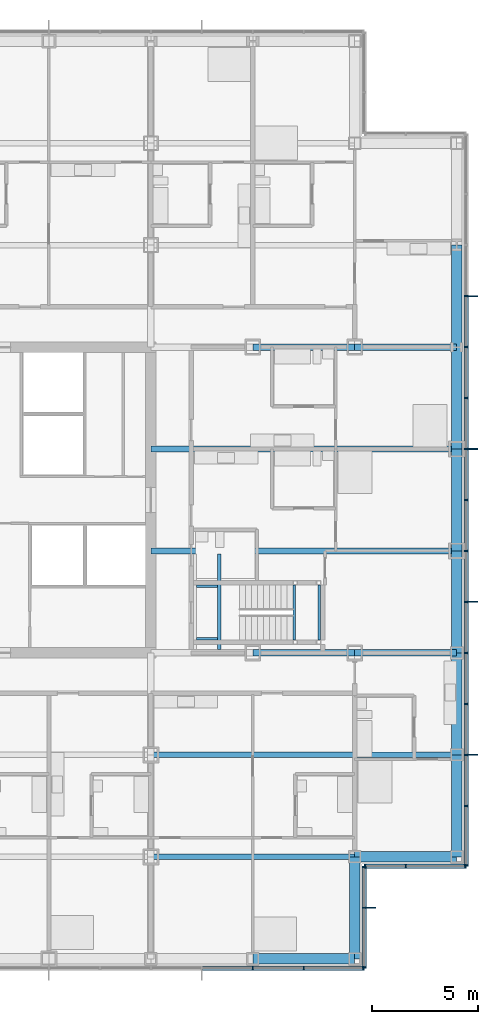
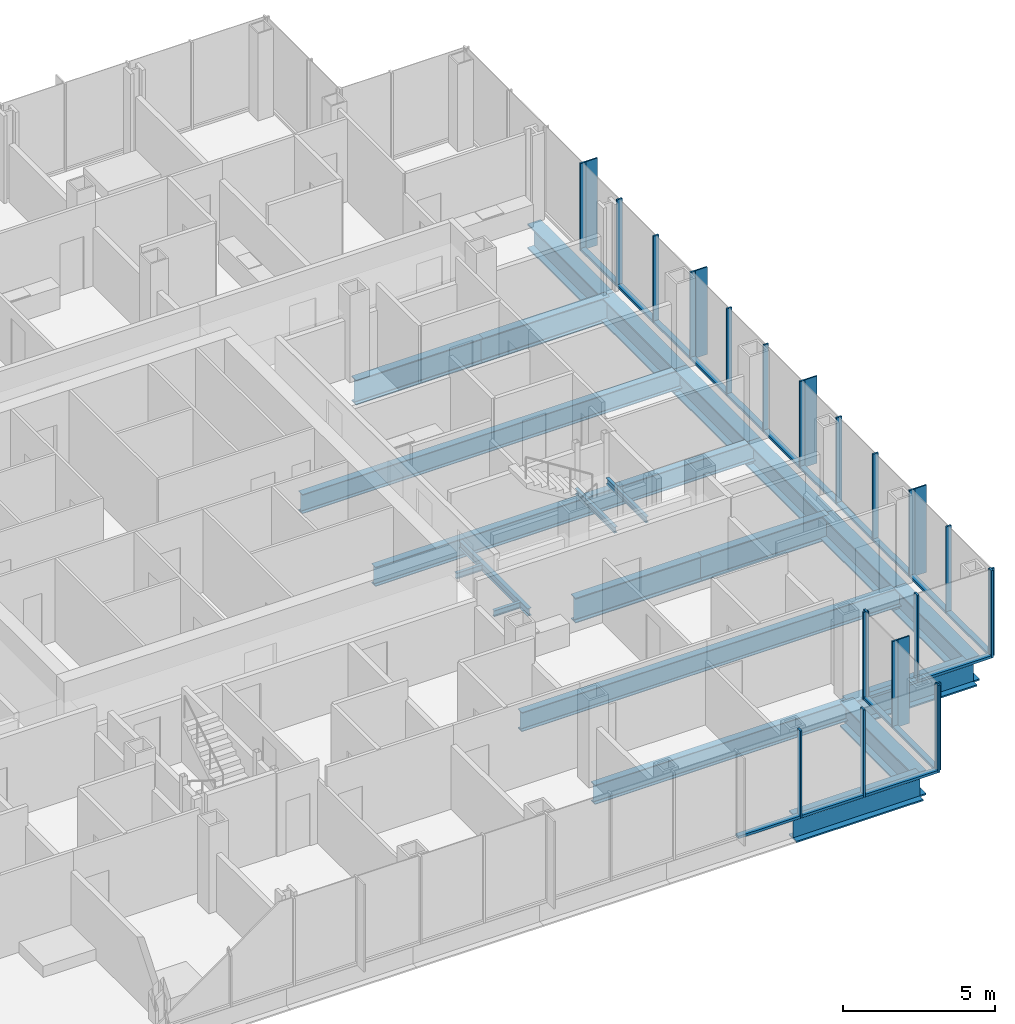
# One storey, part 9 of 21: 44 members, 22 beams, 4 elements without a shape of their own.
"""IFC4 building model written with IfcOpenShell, lengths in metres."""

from ifc_helpers import new_model, si_unit, direction, frame, origin, origin_2d, place, context, subcontext, project, spatial, rectangle, i_section, extrude, material, material_profile, profile_set, type_object, element, aggregate, save


model = new_model("IFC4")

# Units and contexts
model_context = context("Model", 3, precision=1e-05, world=origin(), true_north=direction((0.0, 1.0)))
body_context = subcontext(model_context, "Body", "Model", "MODEL_VIEW")
ifc_project = project(units=[si_unit("LENGTHUNIT", "METRE"), si_unit("AREAUNIT", "SQUARE_METRE"), si_unit("VOLUMEUNIT", "CUBIC_METRE"), si_unit("PLANEANGLEUNIT", "RADIAN"), si_unit("MASSUNIT", "GRAM", prefix="KILO")], contexts=[model_context])

# Site, building, storey
site_placement = place(None, origin())
site = spatial("IfcSite", under=ifc_project, at=site_placement, CompositionType="ELEMENT")
building_placement = place(site_placement, origin())
building = spatial("IfcBuilding", under=site, at=building_placement, Name="Kvirike Care Tower", CompositionType="ELEMENT")
storey_placement = place(building_placement, frame((0.0, 0.0, 34.0)))
storey = spatial("IfcBuildingStorey", under=building, at=storey_placement, Name="L08", CompositionType="ELEMENT", Elevation=34.0)

# Curtain wall, member
ifc_material_1 = material(Name="Anodised aluminium stick system", Category="aluminium")
curtain_wall_type = type_object("IfcCurtainWallType", Name="CW-A STICK CURTAIN WALL", PredefinedType="NOTDEFINED", material=ifc_material_1)
curtain_wall_1_placement = place(storey_placement, origin())
curtain_wall_1 = element("IfcCurtainWall", 1, at=curtain_wall_1_placement, inside=storey, type_object=curtain_wall_type, Name="Curtain wall L08 face 5", PredefinedType="NOTDEFINED")
ifc_material_2 = material(Name="Bronze anodised aluminium fin", Category="aluminium")
ifc_material_profile_1 = material_profile(ifc_material_2, rectangle(XDim=0.050048828125, YDim=0.449951171875, at=origin_2d()), Name="BRONZE FIN 450")
ifc_profile_set_1 = profile_set([ifc_material_profile_1], Name="Bronze anodised aluminium fin")
member_type_1 = type_object("IfcMemberType", Name="BRONZE FIN 450", PredefinedType="USERDEFINED", material=ifc_profile_set_1)
member_1_placement = place(storey_placement, frame((39.175048828125, 16.800048828125, 0.0), z_axis=(0.0, 0.0, 1.0), x_axis=(0.0, 1.0, 0.0)))
member_1 = element("IfcMember", 2, at=member_1_placement, type_object=member_type_1, Name="Bronze fin L08 face 5.2", ObjectType="FIN", PredefinedType="USERDEFINED", context=body_context, shape_type="SweptSolid", body=[
    extrude(rectangle(XDim=0.050048828125, YDim=0.449951171875, at=origin_2d()), origin(), (0.0, 0.0, 1.0), 3.5),
])

# Curtain wall, members
curtain_wall_2_placement = place(storey_placement, origin())
curtain_wall_2 = element("IfcCurtainWall", 3, at=curtain_wall_2_placement, inside=storey, type_object=curtain_wall_type, Name="Curtain wall L08 face 7", PredefinedType="NOTDEFINED")
member_2_placement = place(storey_placement, frame((43.97509765625, 24.0, 0.0), z_axis=(0.0, 0.0, 1.0), x_axis=(0.0, 1.0, 0.0)))
member_2 = element("IfcMember", 4, at=member_2_placement, type_object=member_type_1, Name="Bronze fin L08 face 7.3", ObjectType="FIN", PredefinedType="USERDEFINED", context=body_context, shape_type="SweptSolid", body=[
    extrude(rectangle(XDim=0.050048828125, YDim=0.449951171875, at=origin_2d()), origin(), (0.0, 0.0, 1.0), 3.5),
])
member_3_placement = place(storey_placement, frame((43.97509765625, 31.199951171875, 0.0), z_axis=(0.0, 0.0, 1.0), x_axis=(0.0, 1.0, 0.0)))
member_3 = element("IfcMember", 5, at=member_3_placement, type_object=member_type_1, Name="Bronze fin L08 face 7.6", ObjectType="FIN", PredefinedType="USERDEFINED", context=body_context, shape_type="SweptSolid", body=[
    extrude(rectangle(XDim=0.050048828125, YDim=0.449951171875, at=origin_2d()), origin(), (0.0, 0.0, 1.0), 3.5),
])
member_4_placement = place(storey_placement, frame((43.97509765625, 38.39990234375, 0.0), z_axis=(0.0, 0.0, 1.0), x_axis=(0.0, 1.0, 0.0)))
member_4 = element("IfcMember", 6, at=member_4_placement, type_object=member_type_1, Name="Bronze fin L08 face 7.9", ObjectType="FIN", PredefinedType="USERDEFINED", context=body_context, shape_type="SweptSolid", body=[
    extrude(rectangle(XDim=0.050048828125, YDim=0.449951171875, at=origin_2d()), origin(), (0.0, 0.0, 1.0), 3.5),
])
member_5_placement = place(storey_placement, frame((43.97509765625, 45.60009765625, 0.0), z_axis=(0.0, 0.0, 1.0), x_axis=(0.0, 1.0, 0.0)))
member_5 = element("IfcMember", 7, at=member_5_placement, type_object=member_type_1, Name="Bronze fin L08 face 7.12", ObjectType="FIN", PredefinedType="USERDEFINED", context=body_context, shape_type="SweptSolid", body=[
    extrude(rectangle(XDim=0.050048828125, YDim=0.449951171875, at=origin_2d()), origin(), (0.0, 0.0, 1.0), 3.5),
])

curtain_wall_3_placement = place(storey_placement, origin())
curtain_wall_3 = element("IfcCurtainWall", 8, at=curtain_wall_3_placement, inside=storey, type_object=curtain_wall_type, Name="Curtain wall L08 face 4", PredefinedType="NOTDEFINED")
ifc_material_3 = material(Name="Bronze anodised aluminium mullion", Category="aluminium")
ifc_material_profile_2 = material_profile(ifc_material_3, rectangle(XDim=0.06494140625, YDim=0.199951171875, at=origin_2d()), Name="CW-A MULLION 65x200")
ifc_profile_set_2 = profile_set([ifc_material_profile_2], Name="Bronze anodised aluminium mullion")
member_type_2 = type_object("IfcMemberType", Name="CW-A MULLION 65x200", PredefinedType="MULLION", material=ifc_profile_set_2)
member_6_placement = place(storey_placement, frame((33.60009765625, 13.949951171875, 0.0), z_axis=(0.0, 0.0, 1.0), x_axis=(1.0, 0.0, 0.0)))
member_6 = element("IfcMember", 9, at=member_6_placement, type_object=member_type_2, Name="CW-A mullion L08 face 4.13", PredefinedType="MULLION", context=body_context, shape_type="SweptSolid", body=[
    extrude(rectangle(XDim=0.06494140625, YDim=0.199951171875, at=origin_2d()), origin(), (0.0, 0.0, 1.0), 3.5),
])
member_7_placement = place(storey_placement, frame((36.0, 13.949951171875, 0.0), z_axis=(0.0, 0.0, 1.0), x_axis=(1.0, 0.0, 0.0)))
member_7 = element("IfcMember", 10, at=member_7_placement, type_object=member_type_2, Name="CW-A mullion L08 face 4.14", PredefinedType="MULLION", context=body_context, shape_type="SweptSolid", body=[
    extrude(rectangle(XDim=0.06494140625, YDim=0.199951171875, at=origin_2d()), origin(), (0.0, 0.0, 1.0), 3.5),
])
member_8_placement = place(storey_placement, frame((38.8173828125, 13.949951171875, 0.0), z_axis=(0.0, 0.0, 1.0), x_axis=(1.0, 0.0, 0.0)))
member_8 = element("IfcMember", 11, at=member_8_placement, type_object=member_type_2, Name="CW-A mullion L08 face 4.15", PredefinedType="MULLION", context=body_context, shape_type="SweptSolid", body=[
    extrude(rectangle(XDim=0.06494140625, YDim=0.199951171875, at=origin_2d()), origin(), (0.0, 0.0, 1.0), 3.5),
])

# Member
member_9_placement = place(storey_placement, frame((38.85009765625, 13.982421875, 0.0), z_axis=(0.0, 0.0, 1.0), x_axis=(0.0, 1.0, 0.0)))
member_9 = element("IfcMember", 12, at=member_9_placement, type_object=member_type_2, Name="CW-A mullion L08 face 5.1", PredefinedType="MULLION", context=body_context, shape_type="SweptSolid", body=[
    extrude(rectangle(XDim=0.06494140625, YDim=0.199951171875, at=origin_2d()), origin(), (0.0, 0.0, 1.0), 3.5),
])

member_10_placement = place(storey_placement, frame((38.85009765625, 16.800048828125, 0.0), z_axis=(0.0, 0.0, 1.0), x_axis=(0.0, 1.0, 0.0)))
member_10 = element("IfcMember", 13, at=member_10_placement, type_object=member_type_2, Name="CW-A mullion L08 face 5.2", PredefinedType="MULLION", context=body_context, shape_type="SweptSolid", body=[
    extrude(rectangle(XDim=0.06494140625, YDim=0.199951171875, at=origin_2d()), origin(), (0.0, 0.0, 1.0), 3.5),
])

member_11_placement = place(storey_placement, frame((38.85009765625, 18.717529296875, 0.0), z_axis=(0.0, 0.0, 1.0), x_axis=(0.0, 1.0, 0.0)))
member_11 = element("IfcMember", 14, at=member_11_placement, type_object=member_type_2, Name="CW-A mullion L08 face 5.3", PredefinedType="MULLION", context=body_context, shape_type="SweptSolid", body=[
    extrude(rectangle(XDim=0.06494140625, YDim=0.199951171875, at=origin_2d()), origin(), (0.0, 0.0, 1.0), 3.5),
])

# Curtain wall, members
curtain_wall_4_placement = place(storey_placement, origin())
curtain_wall_4 = element("IfcCurtainWall", 15, at=curtain_wall_4_placement, inside=storey, type_object=curtain_wall_type, Name="Curtain wall L08 face 6", PredefinedType="NOTDEFINED")
member_12_placement = place(storey_placement, frame((38.882568359375, 18.75, 0.0), z_axis=(0.0, 0.0, 1.0), x_axis=(1.0, 0.0, 0.0)))
member_12 = element("IfcMember", 16, at=member_12_placement, type_object=member_type_2, Name="CW-A mullion L08 face 6.1", PredefinedType="MULLION", context=body_context, shape_type="SweptSolid", body=[
    extrude(rectangle(XDim=0.06494140625, YDim=0.199951171875, at=origin_2d()), origin(), (0.0, 0.0, 1.0), 3.5),
])
member_13_placement = place(storey_placement, frame((40.800048828125, 18.75, 0.0), z_axis=(0.0, 0.0, 1.0), x_axis=(1.0, 0.0, 0.0)))
member_13 = element("IfcMember", 17, at=member_13_placement, type_object=member_type_2, Name="CW-A mullion L08 face 6.2", PredefinedType="MULLION", context=body_context, shape_type="SweptSolid", body=[
    extrude(rectangle(XDim=0.06494140625, YDim=0.199951171875, at=origin_2d()), origin(), (0.0, 0.0, 1.0), 3.5),
])
member_14_placement = place(storey_placement, frame((43.617431640625, 18.75, 0.0), z_axis=(0.0, 0.0, 1.0), x_axis=(1.0, 0.0, 0.0)))
member_14 = element("IfcMember", 18, at=member_14_placement, type_object=member_type_2, Name="CW-A mullion L08 face 6.3", PredefinedType="MULLION", context=body_context, shape_type="SweptSolid", body=[
    extrude(rectangle(XDim=0.06494140625, YDim=0.199951171875, at=origin_2d()), origin(), (0.0, 0.0, 1.0), 3.5),
])

# Member
member_15_placement = place(storey_placement, frame((43.64990234375, 18.782470703125, 0.0), z_axis=(0.0, 0.0, 1.0), x_axis=(0.0, 1.0, 0.0)))
member_15 = element("IfcMember", 19, at=member_15_placement, type_object=member_type_2, Name="CW-A mullion L08 face 7.1", PredefinedType="MULLION", context=body_context, shape_type="SweptSolid", body=[
    extrude(rectangle(XDim=0.06494140625, YDim=0.199951171875, at=origin_2d()), origin(), (0.0, 0.0, 1.0), 3.5),
])

member_16_placement = place(storey_placement, frame((43.64990234375, 21.60009765625, 0.0), z_axis=(0.0, 0.0, 1.0), x_axis=(0.0, 1.0, 0.0)))
member_16 = element("IfcMember", 20, at=member_16_placement, type_object=member_type_2, Name="CW-A mullion L08 face 7.2", PredefinedType="MULLION", context=body_context, shape_type="SweptSolid", body=[
    extrude(rectangle(XDim=0.06494140625, YDim=0.199951171875, at=origin_2d()), origin(), (0.0, 0.0, 1.0), 3.5),
])

member_17_placement = place(storey_placement, frame((43.64990234375, 24.0, 0.0), z_axis=(0.0, 0.0, 1.0), x_axis=(0.0, 1.0, 0.0)))
member_17 = element("IfcMember", 21, at=member_17_placement, type_object=member_type_2, Name="CW-A mullion L08 face 7.3", PredefinedType="MULLION", context=body_context, shape_type="SweptSolid", body=[
    extrude(rectangle(XDim=0.06494140625, YDim=0.199951171875, at=origin_2d()), origin(), (0.0, 0.0, 1.0), 3.5),
])

member_18_placement = place(storey_placement, frame((43.64990234375, 26.39990234375, 0.0), z_axis=(0.0, 0.0, 1.0), x_axis=(0.0, 1.0, 0.0)))
member_18 = element("IfcMember", 22, at=member_18_placement, type_object=member_type_2, Name="CW-A mullion L08 face 7.4", PredefinedType="MULLION", context=body_context, shape_type="SweptSolid", body=[
    extrude(rectangle(XDim=0.06494140625, YDim=0.199951171875, at=origin_2d()), origin(), (0.0, 0.0, 1.0), 3.5),
])

member_19_placement = place(storey_placement, frame((43.64990234375, 28.800048828125, 0.0), z_axis=(0.0, 0.0, 1.0), x_axis=(0.0, 1.0, 0.0)))
member_19 = element("IfcMember", 23, at=member_19_placement, type_object=member_type_2, Name="CW-A mullion L08 face 7.5", PredefinedType="MULLION", context=body_context, shape_type="SweptSolid", body=[
    extrude(rectangle(XDim=0.06494140625, YDim=0.199951171875, at=origin_2d()), origin(), (0.0, 0.0, 1.0), 3.5),
])

member_20_placement = place(storey_placement, frame((43.64990234375, 31.199951171875, 0.0), z_axis=(0.0, 0.0, 1.0), x_axis=(0.0, 1.0, 0.0)))
member_20 = element("IfcMember", 24, at=member_20_placement, type_object=member_type_2, Name="CW-A mullion L08 face 7.6", PredefinedType="MULLION", context=body_context, shape_type="SweptSolid", body=[
    extrude(rectangle(XDim=0.06494140625, YDim=0.199951171875, at=origin_2d()), origin(), (0.0, 0.0, 1.0), 3.5),
])

member_21_placement = place(storey_placement, frame((43.64990234375, 33.60009765625, 0.0), z_axis=(0.0, 0.0, 1.0), x_axis=(0.0, 1.0, 0.0)))
member_21 = element("IfcMember", 25, at=member_21_placement, type_object=member_type_2, Name="CW-A mullion L08 face 7.7", PredefinedType="MULLION", context=body_context, shape_type="SweptSolid", body=[
    extrude(rectangle(XDim=0.06494140625, YDim=0.199951171875, at=origin_2d()), origin(), (0.0, 0.0, 1.0), 3.5),
])

member_22_placement = place(storey_placement, frame((43.64990234375, 36.0, 0.0), z_axis=(0.0, 0.0, 1.0), x_axis=(0.0, 1.0, 0.0)))
member_22 = element("IfcMember", 26, at=member_22_placement, type_object=member_type_2, Name="CW-A mullion L08 face 7.8", PredefinedType="MULLION", context=body_context, shape_type="SweptSolid", body=[
    extrude(rectangle(XDim=0.06494140625, YDim=0.199951171875, at=origin_2d()), origin(), (0.0, 0.0, 1.0), 3.5),
])

member_23_placement = place(storey_placement, frame((43.64990234375, 38.39990234375, 0.0), z_axis=(0.0, 0.0, 1.0), x_axis=(0.0, 1.0, 0.0)))
member_23 = element("IfcMember", 27, at=member_23_placement, type_object=member_type_2, Name="CW-A mullion L08 face 7.9", PredefinedType="MULLION", context=body_context, shape_type="SweptSolid", body=[
    extrude(rectangle(XDim=0.06494140625, YDim=0.199951171875, at=origin_2d()), origin(), (0.0, 0.0, 1.0), 3.5),
])

member_24_placement = place(storey_placement, frame((43.64990234375, 40.800048828125, 0.0), z_axis=(0.0, 0.0, 1.0), x_axis=(0.0, 1.0, 0.0)))
member_24 = element("IfcMember", 28, at=member_24_placement, type_object=member_type_2, Name="CW-A mullion L08 face 7.10", PredefinedType="MULLION", context=body_context, shape_type="SweptSolid", body=[
    extrude(rectangle(XDim=0.06494140625, YDim=0.199951171875, at=origin_2d()), origin(), (0.0, 0.0, 1.0), 3.5),
])

member_25_placement = place(storey_placement, frame((43.64990234375, 43.199951171875, 0.0), z_axis=(0.0, 0.0, 1.0), x_axis=(0.0, 1.0, 0.0)))
member_25 = element("IfcMember", 29, at=member_25_placement, type_object=member_type_2, Name="CW-A mullion L08 face 7.11", PredefinedType="MULLION", context=body_context, shape_type="SweptSolid", body=[
    extrude(rectangle(XDim=0.06494140625, YDim=0.199951171875, at=origin_2d()), origin(), (0.0, 0.0, 1.0), 3.5),
])

member_26_placement = place(storey_placement, frame((43.64990234375, 45.60009765625, 0.0), z_axis=(0.0, 0.0, 1.0), x_axis=(0.0, 1.0, 0.0)))
member_26 = element("IfcMember", 30, at=member_26_placement, type_object=member_type_2, Name="CW-A mullion L08 face 7.12", PredefinedType="MULLION", context=body_context, shape_type="SweptSolid", body=[
    extrude(rectangle(XDim=0.06494140625, YDim=0.199951171875, at=origin_2d()), origin(), (0.0, 0.0, 1.0), 3.5),
])

ifc_material_4 = material(Name="Bronze anodised aluminium transom", Category="aluminium")
ifc_material_profile_3 = material_profile(ifc_material_4, rectangle(XDim=0.199951171875, YDim=0.10009765625, at=origin_2d()), Name="CW-A TRANSOM 200x100")
ifc_profile_set_3 = profile_set([ifc_material_profile_3], Name="Bronze anodised aluminium transom")
member_type_3 = type_object("IfcMemberType", Name="CW-A TRANSOM 200x100", PredefinedType="USERDEFINED", material=ifc_profile_set_3)
member_27_placement = place(storey_placement, frame((31.232421875, 13.949951171875, 0.050048828125), z_axis=(1.0, 0.0, 0.0), x_axis=(0.0, 1.0, 0.0)))
member_27 = element("IfcMember", 31, at=member_27_placement, type_object=member_type_3, Name="CW-A sill transom L08 face 4.12", ObjectType="TRANSOM", PredefinedType="USERDEFINED", context=body_context, shape_type="SweptSolid", body=[
    extrude(rectangle(XDim=0.199951171875, YDim=0.10009765625, at=origin_2d()), origin(), (0.0, 0.0, 1.0), 2.3349609375),
])

member_28_placement = place(storey_placement, frame((33.632568359375, 13.949951171875, 0.050048828125), z_axis=(1.0, 0.0, 0.0), x_axis=(0.0, 1.0, 0.0)))
member_28 = element("IfcMember", 32, at=member_28_placement, type_object=member_type_3, Name="CW-A sill transom L08 face 4.13", ObjectType="TRANSOM", PredefinedType="USERDEFINED", context=body_context, shape_type="SweptSolid", body=[
    extrude(rectangle(XDim=0.199951171875, YDim=0.10009765625, at=origin_2d()), origin(), (0.0, 0.0, 1.0), 2.3349609375),
])

member_29_placement = place(storey_placement, frame((36.032470703125, 13.949951171875, 0.050048828125), z_axis=(1.0, 0.0, 0.0), x_axis=(0.0, 1.0, 0.0)))
member_29 = element("IfcMember", 33, at=member_29_placement, type_object=member_type_3, Name="CW-A sill transom L08 face 4.14", ObjectType="TRANSOM", PredefinedType="USERDEFINED", context=body_context, shape_type="SweptSolid", body=[
    extrude(rectangle(XDim=0.199951171875, YDim=0.10009765625, at=origin_2d()), origin(), (0.0, 0.0, 1.0), 2.75244140625),
])

aggregate(curtain_wall_3, [member_6, member_7, member_8, member_27, member_28, member_29])

member_30_placement = place(storey_placement, frame((38.85009765625, 14.014892578125, 0.050048828125), z_axis=(0.0, 1.0, 0.0), x_axis=(-1.0, 0.0, 0.0)))
member_30 = element("IfcMember", 34, at=member_30_placement, type_object=member_type_3, Name="CW-A sill transom L08 face 5.1", ObjectType="TRANSOM", PredefinedType="USERDEFINED", context=body_context, shape_type="SweptSolid", body=[
    extrude(rectangle(XDim=0.199951171875, YDim=0.10009765625, at=origin_2d()), origin(), (0.0, 0.0, 1.0), 2.752685546875),
])

member_31_placement = place(storey_placement, frame((38.85009765625, 16.83251953125, 0.050048828125), z_axis=(0.0, 1.0, 0.0), x_axis=(-1.0, 0.0, 0.0)))
member_31 = element("IfcMember", 35, at=member_31_placement, type_object=member_type_3, Name="CW-A sill transom L08 face 5.2", ObjectType="TRANSOM", PredefinedType="USERDEFINED", context=body_context, shape_type="SweptSolid", body=[
    extrude(rectangle(XDim=0.199951171875, YDim=0.10009765625, at=origin_2d()), origin(), (0.0, 0.0, 1.0), 1.8525390625),
])

aggregate(curtain_wall_1, [member_9, member_10, member_1, member_11, member_30, member_31])

member_32_placement = place(storey_placement, frame((38.9150390625, 18.75, 0.050048828125), z_axis=(1.0, 0.0, 0.0), x_axis=(0.0, 1.0, 0.0)))
member_32 = element("IfcMember", 36, at=member_32_placement, type_object=member_type_3, Name="CW-A sill transom L08 face 6.1", ObjectType="TRANSOM", PredefinedType="USERDEFINED", context=body_context, shape_type="SweptSolid", body=[
    extrude(rectangle(XDim=0.199951171875, YDim=0.10009765625, at=origin_2d()), origin(), (0.0, 0.0, 1.0), 1.8525390625),
])

member_33_placement = place(storey_placement, frame((40.83251953125, 18.75, 0.050048828125), z_axis=(1.0, 0.0, 0.0), x_axis=(0.0, 1.0, 0.0)))
member_33 = element("IfcMember", 37, at=member_33_placement, type_object=member_type_3, Name="CW-A sill transom L08 face 6.2", ObjectType="TRANSOM", PredefinedType="USERDEFINED", context=body_context, shape_type="SweptSolid", body=[
    extrude(rectangle(XDim=0.199951171875, YDim=0.10009765625, at=origin_2d()), origin(), (0.0, 0.0, 1.0), 2.75244140625),
])

aggregate(curtain_wall_4, [member_12, member_13, member_14, member_32, member_33])

member_34_placement = place(storey_placement, frame((43.64990234375, 18.81494140625, 0.050048828125), z_axis=(0.0, 1.0, 0.0), x_axis=(-1.0, 0.0, 0.0)))
member_34 = element("IfcMember", 38, at=member_34_placement, type_object=member_type_3, Name="CW-A sill transom L08 face 7.1", ObjectType="TRANSOM", PredefinedType="USERDEFINED", context=body_context, shape_type="SweptSolid", body=[
    extrude(rectangle(XDim=0.199951171875, YDim=0.10009765625, at=origin_2d()), origin(), (0.0, 0.0, 1.0), 2.75244140625),
])

member_35_placement = place(storey_placement, frame((43.64990234375, 21.632568359375, 0.050048828125), z_axis=(0.0, 1.0, 0.0), x_axis=(-1.0, 0.0, 0.0)))
member_35 = element("IfcMember", 39, at=member_35_placement, type_object=member_type_3, Name="CW-A sill transom L08 face 7.2", ObjectType="TRANSOM", PredefinedType="USERDEFINED", context=body_context, shape_type="SweptSolid", body=[
    extrude(rectangle(XDim=0.199951171875, YDim=0.10009765625, at=origin_2d()), origin(), (0.0, 0.0, 1.0), 2.3349609375),
])

member_36_placement = place(storey_placement, frame((43.64990234375, 24.032470703125, 0.050048828125), z_axis=(0.0, 1.0, 0.0), x_axis=(-1.0, 0.0, 0.0)))
member_36 = element("IfcMember", 40, at=member_36_placement, type_object=member_type_3, Name="CW-A sill transom L08 face 7.3", ObjectType="TRANSOM", PredefinedType="USERDEFINED", context=body_context, shape_type="SweptSolid", body=[
    extrude(rectangle(XDim=0.199951171875, YDim=0.10009765625, at=origin_2d()), origin(), (0.0, 0.0, 1.0), 2.3349609375),
])

member_37_placement = place(storey_placement, frame((43.64990234375, 26.4326171875, 0.050048828125), z_axis=(0.0, 1.0, 0.0), x_axis=(-1.0, 0.0, 0.0)))
member_37 = element("IfcMember", 41, at=member_37_placement, type_object=member_type_3, Name="CW-A sill transom L08 face 7.4", ObjectType="TRANSOM", PredefinedType="USERDEFINED", context=body_context, shape_type="SweptSolid", body=[
    extrude(rectangle(XDim=0.199951171875, YDim=0.10009765625, at=origin_2d()), origin(), (0.0, 0.0, 1.0), 2.3349609375),
])

member_38_placement = place(storey_placement, frame((43.64990234375, 28.83251953125, 0.050048828125), z_axis=(0.0, 1.0, 0.0), x_axis=(-1.0, 0.0, 0.0)))
member_38 = element("IfcMember", 42, at=member_38_placement, type_object=member_type_3, Name="CW-A sill transom L08 face 7.5", ObjectType="TRANSOM", PredefinedType="USERDEFINED", context=body_context, shape_type="SweptSolid", body=[
    extrude(rectangle(XDim=0.199951171875, YDim=0.10009765625, at=origin_2d()), origin(), (0.0, 0.0, 1.0), 2.3349609375),
])

member_39_placement = place(storey_placement, frame((43.64990234375, 31.232421875, 0.050048828125), z_axis=(0.0, 1.0, 0.0), x_axis=(-1.0, 0.0, 0.0)))
member_39 = element("IfcMember", 43, at=member_39_placement, type_object=member_type_3, Name="CW-A sill transom L08 face 7.6", ObjectType="TRANSOM", PredefinedType="USERDEFINED", context=body_context, shape_type="SweptSolid", body=[
    extrude(rectangle(XDim=0.199951171875, YDim=0.10009765625, at=origin_2d()), origin(), (0.0, 0.0, 1.0), 2.3349609375),
])

member_40_placement = place(storey_placement, frame((43.64990234375, 33.632568359375, 0.050048828125), z_axis=(0.0, 1.0, 0.0), x_axis=(-1.0, 0.0, 0.0)))
member_40 = element("IfcMember", 44, at=member_40_placement, type_object=member_type_3, Name="CW-A sill transom L08 face 7.7", ObjectType="TRANSOM", PredefinedType="USERDEFINED", context=body_context, shape_type="SweptSolid", body=[
    extrude(rectangle(XDim=0.199951171875, YDim=0.10009765625, at=origin_2d()), origin(), (0.0, 0.0, 1.0), 2.3349609375),
])

member_41_placement = place(storey_placement, frame((43.64990234375, 36.032470703125, 0.050048828125), z_axis=(0.0, 1.0, 0.0), x_axis=(-1.0, 0.0, 0.0)))
member_41 = element("IfcMember", 45, at=member_41_placement, type_object=member_type_3, Name="CW-A sill transom L08 face 7.8", ObjectType="TRANSOM", PredefinedType="USERDEFINED", context=body_context, shape_type="SweptSolid", body=[
    extrude(rectangle(XDim=0.199951171875, YDim=0.10009765625, at=origin_2d()), origin(), (0.0, 0.0, 1.0), 2.3349609375),
])

member_42_placement = place(storey_placement, frame((43.64990234375, 38.4326171875, 0.050048828125), z_axis=(0.0, 1.0, 0.0), x_axis=(-1.0, 0.0, 0.0)))
member_42 = element("IfcMember", 46, at=member_42_placement, type_object=member_type_3, Name="CW-A sill transom L08 face 7.9", ObjectType="TRANSOM", PredefinedType="USERDEFINED", context=body_context, shape_type="SweptSolid", body=[
    extrude(rectangle(XDim=0.199951171875, YDim=0.10009765625, at=origin_2d()), origin(), (0.0, 0.0, 1.0), 2.3349609375),
])

member_43_placement = place(storey_placement, frame((43.64990234375, 40.83251953125, 0.050048828125), z_axis=(0.0, 1.0, 0.0), x_axis=(-1.0, 0.0, 0.0)))
member_43 = element("IfcMember", 47, at=member_43_placement, type_object=member_type_3, Name="CW-A sill transom L08 face 7.10", ObjectType="TRANSOM", PredefinedType="USERDEFINED", context=body_context, shape_type="SweptSolid", body=[
    extrude(rectangle(XDim=0.199951171875, YDim=0.10009765625, at=origin_2d()), origin(), (0.0, 0.0, 1.0), 2.3349609375),
])

member_44_placement = place(storey_placement, frame((43.64990234375, 43.232421875, 0.050048828125), z_axis=(0.0, 1.0, 0.0), x_axis=(-1.0, 0.0, 0.0)))
member_44 = element("IfcMember", 48, at=member_44_placement, type_object=member_type_3, Name="CW-A sill transom L08 face 7.11", ObjectType="TRANSOM", PredefinedType="USERDEFINED", context=body_context, shape_type="SweptSolid", body=[
    extrude(rectangle(XDim=0.199951171875, YDim=0.10009765625, at=origin_2d()), origin(), (0.0, 0.0, 1.0), 2.3349609375),
])

aggregate(curtain_wall_2, [member_15, member_16, member_17, member_2, member_18, member_19, member_20, member_3, member_21, member_22, member_23, member_4, member_24, member_25, member_26, member_5, member_34, member_35, member_36, member_37, member_38, member_39, member_40, member_41, member_42, member_43, member_44])

# Beams
ifc_material_5 = material(Name="Steel S355", Category="steel")
ifc_material_profile_4 = material_profile(ifc_material_5, i_section(OverallWidth=0.26806640625, OverallDepth=0.77001953125, WebThickness=0.015625, FlangeThickness=0.025390625, FilletRadius=0.01708984375, at=origin_2d()), Name="IPE 750x196")
ifc_profile_set_4 = profile_set([ifc_material_profile_4], Name="Steel S355")
beam_type_1 = type_object("IfcBeamType", Name="FLOOR BEAM IPE 750x196", PredefinedType="BEAM", material=ifc_profile_set_4)
beam_1_placement = place(storey_placement, frame((28.800048828125, 19.199951171875, -0.554931640625), z_axis=(1.0, 0.0, 0.0), x_axis=(0.0, 1.0, 0.0)))
element("IfcBeam", 49, at=beam_1_placement, inside=storey, type_object=beam_type_1, Name="Floor Beam E9-E11 L08", PredefinedType="BEAM", context=body_context, shape_type="SweptSolid", body=[
    extrude(i_section(OverallWidth=0.26806640625, OverallDepth=0.77001953125, WebThickness=0.015625, FlangeThickness=0.025390625, FilletRadius=0.01708984375, at=origin_2d()), origin(), (0.0, 0.0, 1.0), 9.599853515625),
])
for number, where, z_axis, x_axis, name in (
    (50, (28.800048828125, 24.0, -0.554931640625), (1.0, 0.0, 0.0), (0.0, 1.0, 0.0), "Floor Beam F9-F12 L08"),
    (51, (28.800048828125, 33.60009765625, -0.554931640625), (1.0, 0.0, 0.0), (0.0, 1.0, 0.0), "Floor Beam H9-H12 L08"),
    (52, (28.800048828125, 38.39990234375, -0.554931640625), (1.0, 0.0, 0.0), (0.0, 1.0, 0.0), "Floor Beam J9-J12 L08"),
):
    element("IfcBeam", number, at=place(storey_placement, frame(where, z_axis=z_axis, x_axis=x_axis)), inside=storey, type_object=beam_type_1, Name=name, PredefinedType="BEAM", context=body_context, shape_type="SweptSolid", body=[
        extrude(i_section(OverallWidth=0.26806640625, OverallDepth=0.77001953125, WebThickness=0.015625, FlangeThickness=0.025390625, FilletRadius=0.01708984375, at=origin_2d()), origin(), (0.0, 0.0, 1.0), 14.39990234375),
    ])
ifc_material_6 = material(Name="Steel S355", Category="steel")
ifc_material_profile_5 = material_profile(ifc_material_6, i_section(OverallWidth=0.300048828125, OverallDepth=1.0, WebThickness=0.01904296875, FlangeThickness=0.035888671875, FilletRadius=0.030029296875, at=origin_2d()), Name="HE 1000 B")
ifc_profile_set_5 = profile_set([ifc_material_profile_5], Name="Steel S355")
beam_type_2 = type_object("IfcBeamType", Name="FRAME BEAM HE 1000 B", PredefinedType="BEAM", material=ifc_profile_set_5)
beam_2_placement = place(storey_placement, frame((33.60009765625, 28.800048828125, -0.669921875), z_axis=(1.0, 0.0, 0.0), x_axis=(0.0, 1.0, 0.0)))
element("IfcBeam", 53, at=beam_2_placement, inside=storey, type_object=beam_type_2, Name="Frame Beam G10-G11 L08", PredefinedType="BEAM", context=body_context, shape_type="SweptSolid", body=[
    extrude(i_section(OverallWidth=0.300048828125, OverallDepth=1.0, WebThickness=0.01904296875, FlangeThickness=0.035888671875, FilletRadius=0.030029296875, at=origin_2d()), origin(), (0.0, 0.0, 1.0), 4.7998046875),
])
beam_3_placement = place(storey_placement, frame((38.39990234375, 28.800048828125, -0.669921875), z_axis=(1.0, 0.0, 0.0), x_axis=(0.0, 1.0, 0.0)))
element("IfcBeam", 54, at=beam_3_placement, inside=storey, type_object=beam_type_2, Name="Frame Beam G11-G12 L08", PredefinedType="BEAM", context=body_context, shape_type="SweptSolid", body=[
    extrude(i_section(OverallWidth=0.300048828125, OverallDepth=1.0, WebThickness=0.01904296875, FlangeThickness=0.035888671875, FilletRadius=0.030029296875, at=origin_2d()), origin(), (0.0, 0.0, 1.0), 4.800048828125),
])
beam_4_placement = place(storey_placement, frame((33.60009765625, 43.199951171875, -0.669921875), z_axis=(1.0, 0.0, 0.0), x_axis=(0.0, 1.0, 0.0)))
element("IfcBeam", 55, at=beam_4_placement, inside=storey, type_object=beam_type_2, Name="Frame Beam K10-K11 L08", PredefinedType="BEAM", context=body_context, shape_type="SweptSolid", body=[
    extrude(i_section(OverallWidth=0.300048828125, OverallDepth=1.0, WebThickness=0.01904296875, FlangeThickness=0.035888671875, FilletRadius=0.030029296875, at=origin_2d()), origin(), (0.0, 0.0, 1.0), 4.7998046875),
])
beam_5_placement = place(storey_placement, frame((38.39990234375, 43.199951171875, -0.669921875), z_axis=(1.0, 0.0, 0.0), x_axis=(0.0, 1.0, 0.0)))
element("IfcBeam", 56, at=beam_5_placement, inside=storey, type_object=beam_type_2, Name="Frame Beam K11-K12 L08", PredefinedType="BEAM", context=body_context, shape_type="SweptSolid", body=[
    extrude(i_section(OverallWidth=0.300048828125, OverallDepth=1.0, WebThickness=0.01904296875, FlangeThickness=0.035888671875, FilletRadius=0.030029296875, at=origin_2d()), origin(), (0.0, 0.0, 1.0), 4.800048828125),
])
ifc_material_7 = material(Name="Steel S355", Category="steel")
ifc_material_profile_6 = material_profile(ifc_material_7, i_section(OverallWidth=0.5, OverallDepth=1.0, WebThickness=0.030029296875, FlangeThickness=0.06005859375, at=origin_2d()), Name="PG 1000x500x30x60")
ifc_profile_set_6 = profile_set([ifc_material_profile_6], Name="Steel S355")
beam_type_3 = type_object("IfcBeamType", Name="SPANDREL PG 1000x500x30x60", PredefinedType="SPANDREL", material=ifc_profile_set_6)
beam_6_placement = place(storey_placement, frame((33.60009765625, 14.39990234375, -0.669921875), z_axis=(1.0, 0.0, 0.0), x_axis=(0.0, 1.0, 0.0)))
element("IfcBeam", 57, at=beam_6_placement, inside=storey, type_object=beam_type_3, Name="Spandrel D10-D11 L08", PredefinedType="SPANDREL", context=body_context, shape_type="SweptSolid", body=[
    extrude(i_section(OverallWidth=0.5, OverallDepth=1.0, WebThickness=0.030029296875, FlangeThickness=0.06005859375, at=origin_2d()), origin(), (0.0, 0.0, 1.0), 4.7998046875),
])
for number, where, z_axis, x_axis, name in (
    (58, (38.39990234375, 19.199951171875, -0.669921875), (1.0, 0.0, 0.0), (0.0, 1.0, 0.0), "Spandrel E11-E12 L08"),
    (59, (38.39990234375, 14.39990234375, -0.669921875), (0.0, 1.0, 0.0), (-1.0, 0.0, 0.0), "Spandrel D11-E11 L08"),
    (60, (43.199951171875, 19.199951171875, -0.669921875), (0.0, 1.0, 0.0), (-1.0, 0.0, 0.0), "Spandrel E12-F12 L08"),
    (61, (43.199951171875, 24.0, -0.669921875), (0.0, 1.0, 0.0), (-1.0, 0.0, 0.0), "Spandrel F12-G12 L08"),
    (62, (43.199951171875, 28.800048828125, -0.669921875), (0.0, 1.0, 0.0), (-1.0, 0.0, 0.0), "Spandrel G12-H12 L08"),
):
    element("IfcBeam", number, at=place(storey_placement, frame(where, z_axis=z_axis, x_axis=x_axis)), inside=storey, type_object=beam_type_3, Name=name, PredefinedType="SPANDREL", context=body_context, shape_type="SweptSolid", body=[
        extrude(i_section(OverallWidth=0.5, OverallDepth=1.0, WebThickness=0.030029296875, FlangeThickness=0.06005859375, at=origin_2d()), origin(), (0.0, 0.0, 1.0), 4.800048828125),
    ])
beam_7_placement = place(storey_placement, frame((43.199951171875, 33.60009765625, -0.669921875), z_axis=(0.0, 1.0, 0.0), x_axis=(-1.0, 0.0, 0.0)))
element("IfcBeam", 63, at=beam_7_placement, inside=storey, type_object=beam_type_3, Name="Spandrel H12-J12 L08", PredefinedType="SPANDREL", context=body_context, shape_type="SweptSolid", body=[
    extrude(i_section(OverallWidth=0.5, OverallDepth=1.0, WebThickness=0.030029296875, FlangeThickness=0.06005859375, at=origin_2d()), origin(), (0.0, 0.0, 1.0), 4.7998046875),
])
for number, where, z_axis, x_axis, name in (
    (64, (43.199951171875, 38.39990234375, -0.669921875), (0.0, 1.0, 0.0), (-1.0, 0.0, 0.0), "Spandrel J12-K12 L08"),
    (65, (43.199951171875, 43.199951171875, -0.669921875), (0.0, 1.0, 0.0), (-1.0, 0.0, 0.0), "Spandrel K12-L12 L08"),
):
    element("IfcBeam", number, at=place(storey_placement, frame(where, z_axis=z_axis, x_axis=x_axis)), inside=storey, type_object=beam_type_3, Name=name, PredefinedType="SPANDREL", context=body_context, shape_type="SweptSolid", body=[
        extrude(i_section(OverallWidth=0.5, OverallDepth=1.0, WebThickness=0.030029296875, FlangeThickness=0.06005859375, at=origin_2d()), origin(), (0.0, 0.0, 1.0), 4.800048828125),
    ])
ifc_material_8 = material(Name="Steel S355", Category="steel")
ifc_material_profile_7 = material_profile(ifc_material_8, i_section(OverallWidth=0.1201171875, OverallDepth=0.239990234375, WebThickness=0.006103515625, FlangeThickness=0.009765625, FilletRadius=0.014892578125, at=origin_2d()), Name="IPE 240")
ifc_profile_set_7 = profile_set([ifc_material_profile_7], Name="Steel S355")
beam_type_4 = type_object("IfcBeamType", Name="STAIR LANDING BEAM IPE 240", PredefinedType="BEAM", material=ifc_profile_set_7)
for number, where, z_axis, x_axis, name in (
    (66, (36.739990234375, 29.39990234375, 1.429931640625), (0.0, 1.0, 0.0), (-1.0, 0.0, 0.0), "Stair 2 landing beam back L08"),
    (67, (35.56005859375, 29.39990234375, 1.429931640625), (0.0, 1.0, 0.0), (-1.0, 0.0, 0.0), "Stair 2 landing beam front L08"),
):
    element("IfcBeam", number, at=place(storey_placement, frame(where, z_axis=z_axis, x_axis=x_axis)), inside=storey, type_object=beam_type_4, Name=name, PredefinedType="BEAM", context=body_context, shape_type="SweptSolid", body=[
        extrude(i_section(OverallWidth=0.1201171875, OverallDepth=0.239990234375, WebThickness=0.006103515625, FlangeThickness=0.009765625, FilletRadius=0.014892578125, at=origin_2d()), origin(), (0.0, 0.0, 1.0), 2.60009765625),
    ])
for number, where, z_axis, x_axis, name in (
    (68, (31.949951171875, 29.4599609375, -0.320068359375), (-1.0, 0.0, 0.0), (0.0, -1.0, 0.0), "Stair 2 landing edge beam 1 L08"),
    (69, (31.949951171875, 31.93994140625, -0.320068359375), (-1.0, 0.0, 0.0), (0.0, -1.0, 0.0), "Stair 2 landing edge beam 2 L08"),
):
    element("IfcBeam", number, at=place(storey_placement, frame(where, z_axis=z_axis, x_axis=x_axis)), inside=storey, type_object=beam_type_4, Name=name, PredefinedType="BEAM", context=body_context, shape_type="SweptSolid", body=[
        extrude(i_section(OverallWidth=0.1201171875, OverallDepth=0.239990234375, WebThickness=0.006103515625, FlangeThickness=0.009765625, FilletRadius=0.014892578125, at=origin_2d()), origin(), (0.0, 0.0, 1.0), 1.0),
    ])
ifc_material_9 = material(Name="Steel S355", Category="steel")
ifc_material_profile_8 = material_profile(ifc_material_9, i_section(OverallWidth=0.14990234375, OverallDepth=0.300048828125, WebThickness=0.007080078125, FlangeThickness=0.0107421875, FilletRadius=0.014892578125, at=origin_2d()), Name="IPE 300")
ifc_profile_set_8 = profile_set([ifc_material_profile_8], Name="Steel S355")
beam_type_5 = type_object("IfcBeamType", Name="STAIR TRIMMER IPE 300", PredefinedType="BEAM", material=ifc_profile_set_8)
beam_8_placement = place(storey_placement, frame((32.02490234375, 28.949951171875, -0.35009765625), z_axis=(0.0, 1.0, 0.0), x_axis=(-1.0, 0.0, 0.0)))
element("IfcBeam", 70, at=beam_8_placement, inside=storey, type_object=beam_type_5, Name="Stair 2 trimmer 1 L08", PredefinedType="BEAM", context=body_context, shape_type="SweptSolid", body=[
    extrude(i_section(OverallWidth=0.14990234375, OverallDepth=0.300048828125, WebThickness=0.007080078125, FlangeThickness=0.0107421875, FilletRadius=0.014892578125, at=origin_2d()), origin(), (0.0, 0.0, 1.0), 4.51611328125),
])

save(model, "model.ifc")
